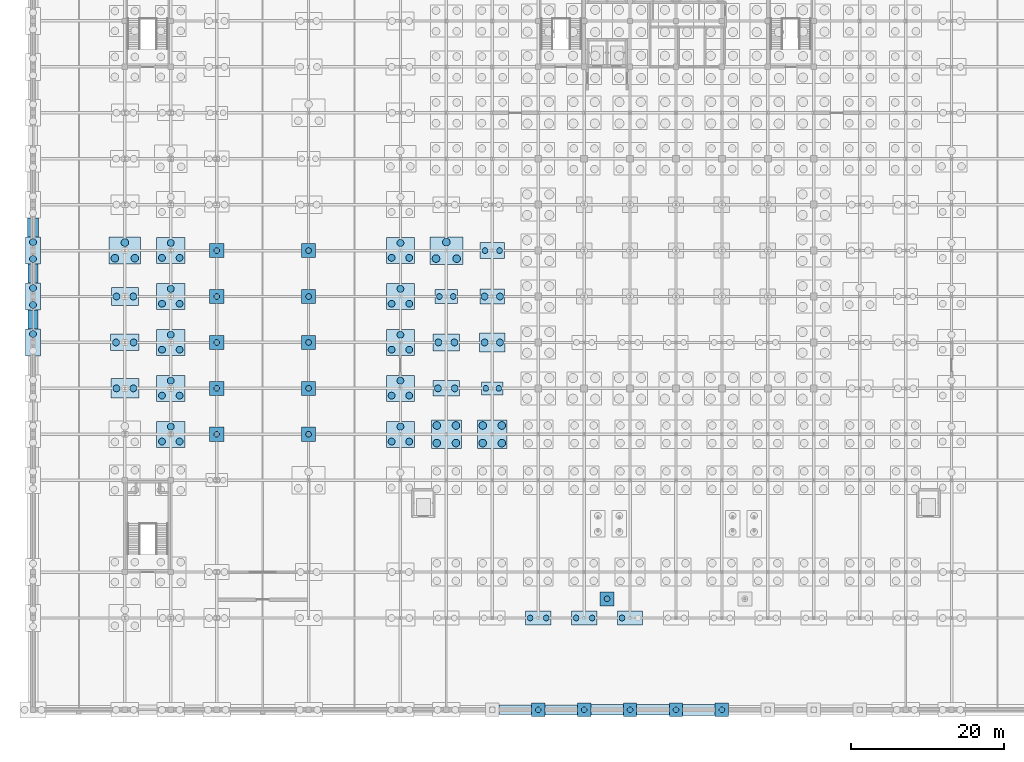
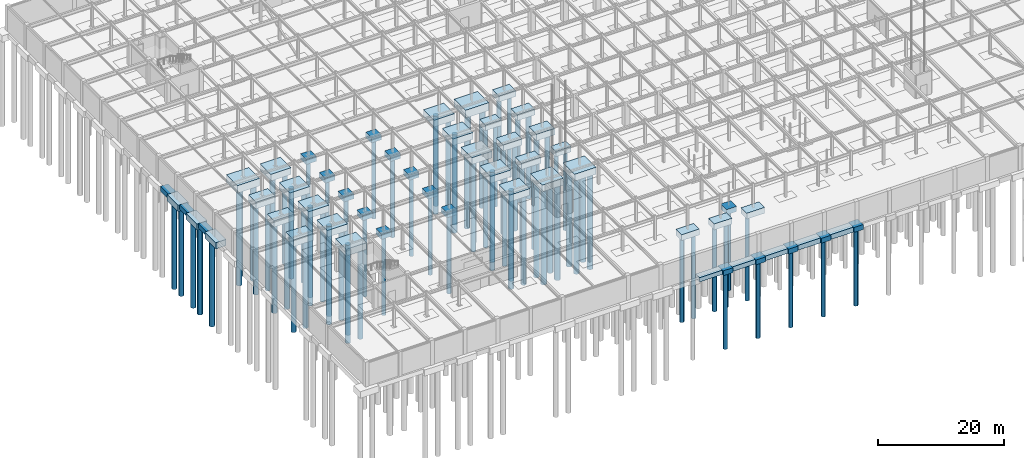
# One storey, part 2 of 69: 90 piles, 54 footings.
"""IFC4 building model written with IfcOpenShell, lengths in metres."""

from ifc_helpers import new_model, si_unit, direction, frame, origin, origin_2d, place, context, subcontext, project, spatial, rectangle, circle, extrude, material, material_profile, profile_set, type_object, element, save


model = new_model("IFC4")

# Units and contexts
model_context = context("Model", 3, precision=1e-05, world=origin(), true_north=direction((0.0, 1.0)))
body_context = subcontext(model_context, "Body", "Model", "MODEL_VIEW")
ifc_project = project(units=[si_unit("LENGTHUNIT", "METRE"), si_unit("AREAUNIT", "SQUARE_METRE"), si_unit("VOLUMEUNIT", "CUBIC_METRE"), si_unit("PLANEANGLEUNIT", "RADIAN"), si_unit("MASSUNIT", "GRAM", prefix="KILO")], contexts=[model_context])

# Site, building, storey
site_placement = place(None, origin())
site = spatial("IfcSite", under=ifc_project, at=site_placement, CompositionType="ELEMENT")
building_placement = place(site_placement, origin())
building = spatial("IfcBuilding", under=site, at=building_placement, Name="Zlatovratsky Civic Hall", CompositionType="ELEMENT")
storey_placement = place(building_placement, frame((0.0, 0.0, -4.800048828125)))
storey = spatial("IfcBuildingStorey", under=building, at=storey_placement, Name="B1", CompositionType="ELEMENT", Elevation=-4.800048828125)

# Footings
ifc_material = material(Name="Concrete C25/30 (B30)", Category="concrete")
footing_type_1 = type_object("IfcFootingType", Name="Footing_Cap1_CourtUnder_1850x1850x1000", PredefinedType="PILE_CAP", material=ifc_material)
for number, where, z_axis, x_axis, name in (
    (1, (24.0, 36.0, -1.0), (0.0, 0.0, 1.0), (1.0, 0.0, 0.0), "FD-096"),
    (2, (36.0, 36.0, -1.0), (0.0, 0.0, 1.0), (1.0, 0.0, 0.0), "FD-097"),
    (3, (24.0, 42.0, -1.0), (0.0, 0.0, 1.0), (1.0, 0.0, 0.0), "FD-119"),
    (4, (36.0, 42.0, -1.0), (0.0, 0.0, 1.0), (1.0, 0.0, 0.0), "FD-120"),
    (5, (24.0, 48.0, -1.0), (0.0, 0.0, 1.0), (1.0, 0.0, 0.0), "FD-142"),
    (6, (36.0, 48.0, -1.0), (0.0, 0.0, 1.0), (1.0, 0.0, 0.0), "FD-143"),
    (7, (24.0, 54.0, -1.0), (0.0, 0.0, 1.0), (1.0, 0.0, 0.0), "FD-165"),
    (8, (36.0, 54.0, -1.0), (0.0, 0.0, 1.0), (1.0, 0.0, 0.0), "FD-166"),
    (9, (24.0, 60.0, -1.0), (0.0, 0.0, 1.0), (1.0, 0.0, 0.0), "FD-188"),
    (10, (36.0, 60.0, -1.0), (0.0, 0.0, 1.0), (1.0, 0.0, 0.0), "FD-189"),
    (11, (75.0, 14.5, -1.0), (0.0, 0.0, 1.0), (1.0, 0.0, 0.0), "FD-499"),
):
    element("IfcFooting", number, at=place(storey_placement, frame(where, z_axis=z_axis, x_axis=x_axis)), inside=storey, type_object=footing_type_1, Name=name, PredefinedType="PILE_CAP", context=body_context, shape_type="SweptSolid", body=[
        extrude(rectangle(XDim=1.85009765625, YDim=1.85009765625, at=origin_2d()), origin(), (0.0, 0.0, 1.0), 1.0),
    ])
footing_type_2 = type_object("IfcFootingType", Name="Footing_Cap1_ForecourtUnder_1750x1750x950", PredefinedType="PILE_CAP", material=ifc_material)
for number, where, z_axis, x_axis, name in (
    (12, (66.0, 0.0, -0.94970703125), (0.0, 0.0, 1.0), (1.0, 0.0, 0.0), "FD-009"),
    (13, (72.0, 0.0, -0.94970703125), (0.0, 0.0, 1.0), (1.0, 0.0, 0.0), "FD-010"),
    (14, (78.0, 0.0, -0.94970703125), (0.0, 0.0, 1.0), (1.0, 0.0, 0.0), "FD-011"),
    (15, (84.0, 0.0, -0.94970703125), (0.0, 0.0, 1.0), (1.0, 0.0, 0.0), "FD-012"),
    (16, (90.0, 0.0, -0.94970703125), (0.0, 0.0, 1.0), (1.0, 0.0, 0.0), "FD-013"),
):
    element("IfcFooting", number, at=place(storey_placement, frame(where, z_axis=z_axis, x_axis=x_axis)), inside=storey, type_object=footing_type_2, Name=name, PredefinedType="PILE_CAP", context=body_context, shape_type="SweptSolid", body=[
        extrude(rectangle(XDim=1.75, YDim=1.75, at=origin_2d()), origin(), (0.0, 0.0, 1.0), 0.949951171875),
    ])
footing_type_3 = type_object("IfcFootingType", Name="Footing_Cap2_ArchiveN_3500x2000x1200", PredefinedType="PILE_CAP", material=ifc_material)
footing_1_placement = place(storey_placement, frame((54.0, 42.0, -1.19970703125), z_axis=(0.0, 0.0, 1.0), x_axis=(1.0, 0.0, 0.0)))
element("IfcFooting", 17, at=footing_1_placement, inside=storey, type_object=footing_type_3, Name="FD-122", PredefinedType="PILE_CAP", context=body_context, shape_type="SweptSolid", body=[
    extrude(rectangle(XDim=3.5, YDim=2.0, at=origin_2d()), origin(), (0.0, 0.0, 1.0), 1.199951171875),
])
footing_type_4 = type_object("IfcFootingType", Name="Footing_Cap2_ArchiveS_3250x1950x1150", PredefinedType="PILE_CAP", material=ifc_material)
footing_2_placement = place(storey_placement, frame((60.0, 54.0, -1.14990234375), z_axis=(0.0, 0.0, 1.0), x_axis=(1.0, 0.0, 0.0)))
element("IfcFooting", 18, at=footing_2_placement, inside=storey, type_object=footing_type_4, Name="FD-169", PredefinedType="PILE_CAP", context=body_context, shape_type="SweptSolid", body=[
    extrude(rectangle(XDim=3.25, YDim=1.949951171875, at=origin_2d()), origin(), (0.0, 0.0, 1.0), 1.14990234375),
])
footing_type_5 = type_object("IfcFootingType", Name="Footing_Cap2_Boulevard_3550x2350x1300", PredefinedType="PILE_CAP", material=ifc_material)
footing_3_placement = place(storey_placement, frame((12.0, 54.0, -1.2998046875), z_axis=(0.0, 0.0, 1.0), x_axis=(1.0, 0.0, 0.0)))
element("IfcFooting", 19, at=footing_3_placement, inside=storey, type_object=footing_type_5, Name="FD-163", PredefinedType="PILE_CAP", context=body_context, shape_type="SweptSolid", body=[
    extrude(rectangle(XDim=3.550048828125, YDim=2.35009765625, at=origin_2d()), origin(), (0.0, 0.0, 1.0), 1.300048828125),
])
footing_type_6 = type_object("IfcFootingType", Name="Footing_Cap2_CourtN_2950x1850x1100", PredefinedType="PILE_CAP", material=ifc_material)
footing_4_placement = place(storey_placement, frame((54.0, 54.0, -1.10009765625), z_axis=(0.0, 0.0, 1.0), x_axis=(1.0, 0.0, 0.0)))
element("IfcFooting", 20, at=footing_4_placement, inside=storey, type_object=footing_type_6, Name="FD-168", PredefinedType="PILE_CAP", context=body_context, shape_type="SweptSolid", body=[
    extrude(rectangle(XDim=2.949951171875, YDim=1.85009765625, at=origin_2d()), origin(), (0.0, 0.0, 1.0), 1.10009765625),
])
footing_type_7 = type_object("IfcFootingType", Name="Footing_Cap2_CourtS_2800x1700x1050", PredefinedType="PILE_CAP", material=ifc_material)
footing_5_placement = place(storey_placement, frame((60.0, 42.0, -1.0498046875), z_axis=(0.0, 0.0, 1.0), x_axis=(1.0, 0.0, 0.0)))
element("IfcFooting", 21, at=footing_5_placement, inside=storey, type_object=footing_type_7, Name="FD-123", PredefinedType="PILE_CAP", context=body_context, shape_type="SweptSolid", body=[
    extrude(rectangle(XDim=2.800048828125, YDim=1.699951171875, at=origin_2d()), origin(), (0.0, 0.0, 1.0), 1.050048828125),
])
footing_type_8 = type_object("IfcFootingType", Name="Footing_Cap2_Galleria_3150x2050x1150", PredefinedType="PILE_CAP", material=ifc_material)
footing_6_placement = place(storey_placement, frame((60.0, 60.0, -1.14990234375), z_axis=(0.0, 0.0, 1.0), x_axis=(1.0, 0.0, 0.0)))
element("IfcFooting", 22, at=footing_6_placement, inside=storey, type_object=footing_type_8, Name="FD-192", PredefinedType="PILE_CAP", context=body_context, shape_type="SweptSolid", body=[
    extrude(rectangle(XDim=3.14990234375, YDim=2.050048828125, at=origin_2d()), origin(), (0.0, 0.0, 1.0), 1.14990234375),
])
footing_type_9 = type_object("IfcFootingType", Name="Footing_Cap2_LibraryE_3650x2550x1300", PredefinedType="PILE_CAP", material=ifc_material)
footing_7_placement = place(storey_placement, frame((12.0, 42.0, -1.2998046875), z_axis=(0.0, 0.0, 1.0), x_axis=(1.0, 0.0, 0.0)))
element("IfcFooting", 23, at=footing_7_placement, inside=storey, type_object=footing_type_9, Name="FD-117", PredefinedType="PILE_CAP", context=body_context, shape_type="SweptSolid", body=[
    extrude(rectangle(XDim=3.64990234375, YDim=2.550048828125, at=origin_2d()), origin(), (0.0, 0.0, 1.0), 1.300048828125),
])
footing_type_10 = type_object("IfcFootingType", Name="Footing_Cap2_PlantB1_3350x2450x1250", PredefinedType="PILE_CAP", material=ifc_material)
footing_8_placement = place(storey_placement, frame((60.0, 48.0, -1.25), z_axis=(0.0, 0.0, 1.0), x_axis=(1.0, 0.0, 0.0)))
element("IfcFooting", 24, at=footing_8_placement, inside=storey, type_object=footing_type_10, Name="FD-146", PredefinedType="PILE_CAP", context=body_context, shape_type="SweptSolid", body=[
    extrude(rectangle(XDim=3.35009765625, YDim=2.449951171875, at=origin_2d()), origin(), (0.0, 0.0, 1.0), 1.25),
])
footing_type_11 = type_object("IfcFootingType", Name="Footing_Cap2_Portico_3300x1800x1150", PredefinedType="PILE_CAP", material=ifc_material)
for number, where, z_axis, x_axis, name in (
    (25, (66.0, 12.0, -1.14990234375), (0.0, 0.0, 1.0), (1.0, 0.0, 0.0), "FD-032"),
    (26, (72.0, 12.0, -1.14990234375), (0.0, 0.0, 1.0), (1.0, 0.0, 0.0), "FD-033"),
    (27, (78.0, 12.0, -1.14990234375), (0.0, 0.0, 1.0), (1.0, 0.0, 0.0), "FD-034"),
):
    element("IfcFooting", number, at=place(storey_placement, frame(where, z_axis=z_axis, x_axis=x_axis)), inside=storey, type_object=footing_type_11, Name=name, PredefinedType="PILE_CAP", context=body_context, shape_type="SweptSolid", body=[
        extrude(rectangle(XDim=3.300048828125, YDim=1.800048828125, at=origin_2d()), origin(), (0.0, 0.0, 1.0), 1.14990234375),
    ])
footing_type_12 = type_object("IfcFootingType", Name="Footing_Cap2_ReceptionW_3450x2250x1200", PredefinedType="PILE_CAP", material=ifc_material)
footing_9_placement = place(storey_placement, frame((54.0, 48.0, -1.19970703125), z_axis=(0.0, 0.0, 1.0), x_axis=(1.0, 0.0, 0.0)))
element("IfcFooting", 28, at=footing_9_placement, inside=storey, type_object=footing_type_12, Name="FD-145", PredefinedType="PILE_CAP", context=body_context, shape_type="SweptSolid", body=[
    extrude(rectangle(XDim=3.449951171875, YDim=2.25, at=origin_2d()), origin(), (0.0, 0.0, 1.0), 1.199951171875),
])
footing_type_13 = type_object("IfcFootingType", Name="Footing_Cap2_ServiceE_3750x2150x1250", PredefinedType="PILE_CAP", material=ifc_material)
footing_10_placement = place(storey_placement, frame((12.0, 48.0, -1.25), z_axis=(0.0, 0.0, 1.0), x_axis=(1.0, 0.0, 0.0)))
element("IfcFooting", 29, at=footing_10_placement, inside=storey, type_object=footing_type_13, Name="FD-140", PredefinedType="PILE_CAP", context=body_context, shape_type="SweptSolid", body=[
    extrude(rectangle(XDim=3.75, YDim=2.14990234375, at=origin_2d()), origin(), (0.0, 0.0, 1.0), 1.25),
])
footing_type_14 = type_object("IfcFootingType", Name="Footing_Cap2_WingEdgeY_1900x3500x1200", PredefinedType="PILE_CAP", material=ifc_material)
for number, where, z_axis, x_axis, name in (
    (30, (0.0, 48.0, -1.19970703125), (0.0, 0.0, 1.0), (1.0, 0.0, 0.0), "FD-139"),
    (31, (0.0, 54.0, -1.19970703125), (0.0, 0.0, 1.0), (1.0, 0.0, 0.0), "FD-162"),
    (32, (0.0, 60.0, -1.19970703125), (0.0, 0.0, 1.0), (1.0, 0.0, 0.0), "FD-185"),
):
    element("IfcFooting", number, at=place(storey_placement, frame(where, z_axis=z_axis, x_axis=x_axis)), inside=storey, type_object=footing_type_14, Name=name, PredefinedType="PILE_CAP", context=body_context, shape_type="SweptSolid", body=[
        extrude(rectangle(XDim=1.89990234375, YDim=3.5, at=origin_2d()), origin(), (0.0, 0.0, 1.0), 1.199951171875),
    ])
footing_type_15 = type_object("IfcFootingType", Name="Footing_Cap3_CourtEdge_3700x3400x1300", PredefinedType="PILE_CAP", material=ifc_material)
for number, where, z_axis, x_axis, name in (
    (33, (18.0, 36.0, -1.2998046875), (0.0, 0.0, 1.0), (1.0, 0.0, 0.0), "FD-095"),
    (34, (48.0, 36.0, -1.2998046875), (0.0, 0.0, 1.0), (1.0, 0.0, 0.0), "FD-098"),
    (35, (18.0, 42.0, -1.2998046875), (0.0, 0.0, 1.0), (1.0, 0.0, 0.0), "FD-118"),
    (36, (48.0, 42.0, -1.2998046875), (0.0, 0.0, 1.0), (1.0, 0.0, 0.0), "FD-121"),
    (37, (18.0, 48.0, -1.2998046875), (0.0, 0.0, 1.0), (1.0, 0.0, 0.0), "FD-141"),
    (38, (48.0, 48.0, -1.2998046875), (0.0, 0.0, 1.0), (1.0, 0.0, 0.0), "FD-144"),
    (39, (18.0, 54.0, -1.2998046875), (0.0, 0.0, 1.0), (1.0, 0.0, 0.0), "FD-164"),
    (40, (48.0, 54.0, -1.2998046875), (0.0, 0.0, 1.0), (1.0, 0.0, 0.0), "FD-167"),
    (41, (18.0, 60.0, -1.2998046875), (0.0, 0.0, 1.0), (1.0, 0.0, 0.0), "FD-187"),
    (42, (48.0, 60.0, -1.2998046875), (0.0, 0.0, 1.0), (1.0, 0.0, 0.0), "FD-190"),
):
    element("IfcFooting", number, at=place(storey_placement, frame(where, z_axis=z_axis, x_axis=x_axis)), inside=storey, type_object=footing_type_15, Name=name, PredefinedType="PILE_CAP", context=body_context, shape_type="SweptSolid", body=[
        extrude(rectangle(XDim=3.699951171875, YDim=3.39990234375, at=origin_2d()), origin(), (0.0, 0.0, 1.0), 1.300048828125),
    ])
footing_type_16 = type_object("IfcFootingType", Name="Footing_Cap3_TowerFlank_4100x3500x1450", PredefinedType="PILE_CAP", material=ifc_material)
footing_11_placement = place(storey_placement, frame((12.0, 60.0, -1.44970703125), z_axis=(0.0, 0.0, 1.0), x_axis=(1.0, 0.0, 0.0)))
element("IfcFooting", 43, at=footing_11_placement, inside=storey, type_object=footing_type_16, Name="FD-186", PredefinedType="PILE_CAP", context=body_context, shape_type="SweptSolid", body=[
    extrude(rectangle(XDim=4.10009765625, YDim=3.5, at=origin_2d()), origin(), (0.0, 0.0, 1.0), 1.449951171875),
])
footing_type_17 = type_object("IfcFootingType", Name="Footing_Cap3_TowerNorth_4300x3600x1500", PredefinedType="PILE_CAP", material=ifc_material)
footing_12_placement = place(storey_placement, frame((54.0, 60.0, -1.5), z_axis=(0.0, 0.0, 1.0), x_axis=(1.0, 0.0, 0.0)))
element("IfcFooting", 44, at=footing_12_placement, inside=storey, type_object=footing_type_17, Name="FD-191", PredefinedType="PILE_CAP", context=body_context, shape_type="SweptSolid", body=[
    extrude(rectangle(XDim=4.300048828125, YDim=3.60009765625, at=origin_2d()), origin(), (0.0, 0.0, 1.0), 1.5),
])
footing_type_18 = type_object("IfcFootingType", Name="Footing_Cap4_HallSpine_3900x3700x1350", PredefinedType="PILE_CAP", material=ifc_material)
for number, where, z_axis, x_axis, name in (
    (45, (54.0, 36.0, -1.35009765625), (0.0, 0.0, 1.0), (1.0, 0.0, 0.0), "FD-099"),
    (46, (60.0, 36.0, -1.35009765625), (0.0, 0.0, 1.0), (1.0, 0.0, 0.0), "FD-100"),
):
    element("IfcFooting", number, at=place(storey_placement, frame(where, z_axis=z_axis, x_axis=x_axis)), inside=storey, type_object=footing_type_18, Name=name, PredefinedType="PILE_CAP", context=body_context, shape_type="SweptSolid", body=[
        extrude(rectangle(XDim=3.89990234375, YDim=3.699951171875, at=origin_2d()), origin(), (0.0, 0.0, 1.0), 1.35009765625),
    ])
footing_type_19 = type_object("IfcFootingType", Name="Footing_Strip_B1_02", PredefinedType="STRIP_FOOTING", material=ifc_material)
footing_13_placement = place(storey_placement, frame((63.0, 0.0, -0.85009765625), z_axis=(0.0, 0.0, 1.0), x_axis=(1.0, 0.0, 0.0)))
element("IfcFooting", 47, at=footing_13_placement, inside=storey, type_object=footing_type_19, Name="FD-422", PredefinedType="STRIP_FOOTING", context=body_context, shape_type="SweptSolid", body=[
    extrude(rectangle(XDim=4.25, YDim=1.25, at=origin_2d()), origin(), (0.0, 0.0, 1.0), 0.85009765625),
])
footing_type_20 = type_object("IfcFootingType", Name="Footing_Strip_B1_03", PredefinedType="STRIP_FOOTING", material=ifc_material)
footing_14_placement = place(storey_placement, frame((69.0, 0.0, -0.89990234375), z_axis=(0.0, 0.0, 1.0), x_axis=(1.0, 0.0, 0.0)))
element("IfcFooting", 48, at=footing_14_placement, inside=storey, type_object=footing_type_20, Name="FD-423", PredefinedType="STRIP_FOOTING", context=body_context, shape_type="SweptSolid", body=[
    extrude(rectangle(XDim=4.25, YDim=1.300048828125, at=origin_2d()), origin(), (0.0, 0.0, 1.0), 0.89990234375),
])
footing_15_placement = place(storey_placement, frame((0.0, 51.0, -0.89990234375), z_axis=(0.0, 0.0, 1.0), x_axis=(1.0, 0.0, 0.0)))
element("IfcFooting", 49, at=footing_15_placement, inside=storey, type_object=footing_type_20, Name="FD-465", PredefinedType="STRIP_FOOTING", context=body_context, shape_type="SweptSolid", body=[
    extrude(rectangle(XDim=1.300048828125, YDim=2.5, at=origin_2d()), origin(), (0.0, 0.0, 1.0), 0.89990234375),
])
footing_type_21 = type_object("IfcFootingType", Name="Footing_Strip_B1_04", PredefinedType="STRIP_FOOTING", material=ifc_material)
footing_16_placement = place(storey_placement, frame((75.0, 0.0, -0.89990234375), z_axis=(0.0, 0.0, 1.0), x_axis=(1.0, 0.0, 0.0)))
element("IfcFooting", 50, at=footing_16_placement, inside=storey, type_object=footing_type_21, Name="FD-424", PredefinedType="STRIP_FOOTING", context=body_context, shape_type="SweptSolid", body=[
    extrude(rectangle(XDim=4.25, YDim=1.35009765625, at=origin_2d()), origin(), (0.0, 0.0, 1.0), 0.89990234375),
])
footing_17_placement = place(storey_placement, frame((0.0, 57.0, -0.89990234375), z_axis=(0.0, 0.0, 1.0), x_axis=(1.0, 0.0, 0.0)))
element("IfcFooting", 51, at=footing_17_placement, inside=storey, type_object=footing_type_21, Name="FD-466", PredefinedType="STRIP_FOOTING", context=body_context, shape_type="SweptSolid", body=[
    extrude(rectangle(XDim=1.35009765625, YDim=2.5, at=origin_2d()), origin(), (0.0, 0.0, 1.0), 0.89990234375),
])
footing_type_22 = type_object("IfcFootingType", Name="Footing_Strip_B1_05", PredefinedType="STRIP_FOOTING", material=ifc_material)
footing_18_placement = place(storey_placement, frame((81.0, 0.0, -0.94970703125), z_axis=(0.0, 0.0, 1.0), x_axis=(1.0, 0.0, 0.0)))
element("IfcFooting", 52, at=footing_18_placement, inside=storey, type_object=footing_type_22, Name="FD-425", PredefinedType="STRIP_FOOTING", context=body_context, shape_type="SweptSolid", body=[
    extrude(rectangle(XDim=4.25, YDim=1.39990234375, at=origin_2d()), origin(), (0.0, 0.0, 1.0), 0.949951171875),
])
footing_19_placement = place(storey_placement, frame((0.0, 63.0, -0.94970703125), z_axis=(0.0, 0.0, 1.0), x_axis=(1.0, 0.0, 0.0)))
element("IfcFooting", 53, at=footing_19_placement, inside=storey, type_object=footing_type_22, Name="FD-467", PredefinedType="STRIP_FOOTING", context=body_context, shape_type="SweptSolid", body=[
    extrude(rectangle(XDim=1.39990234375, YDim=2.5, at=origin_2d()), origin(), (0.0, 0.0, 1.0), 0.949951171875),
])
footing_type_23 = type_object("IfcFootingType", Name="Footing_Strip_B1_06", PredefinedType="STRIP_FOOTING", material=ifc_material)
footing_20_placement = place(storey_placement, frame((87.0, 0.0, -0.94970703125), z_axis=(0.0, 0.0, 1.0), x_axis=(1.0, 0.0, 0.0)))
element("IfcFooting", 54, at=footing_20_placement, inside=storey, type_object=footing_type_23, Name="FD-426", PredefinedType="STRIP_FOOTING", context=body_context, shape_type="SweptSolid", body=[
    extrude(rectangle(XDim=4.25, YDim=1.449951171875, at=origin_2d()), origin(), (0.0, 0.0, 1.0), 0.949951171875),
])

# Piles
ifc_material_profile_1 = material_profile(ifc_material, circle(Radius=0.5, at=origin_2d()), Name="PILE D1000")
ifc_profile_set_1 = profile_set([ifc_material_profile_1], Name="Concrete C25/30 (B30)")
pile_type_1 = type_object("IfcPileType", Name="Pile_Bored_D1000", PredefinedType="BORED", material=ifc_profile_set_1)
for number, where, z_axis, x_axis, name in (
    (55, (52.75, 34.85009765625, -1.25), (0.0, 0.0, -1.0), (1.0, 0.0, 0.0), "PL-0255"),
    (56, (55.25, 34.85009765625, -1.25), (0.0, 0.0, -1.0), (1.0, 0.0, 0.0), "PL-0256"),
    (57, (52.75, 37.14990234375, -1.25), (0.0, 0.0, -1.0), (1.0, 0.0, 0.0), "PL-0257"),
    (58, (55.25, 37.14990234375, -1.25), (0.0, 0.0, -1.0), (1.0, 0.0, 0.0), "PL-0258"),
    (59, (58.75, 34.85009765625, -1.25), (0.0, 0.0, -1.0), (1.0, 0.0, 0.0), "PL-0259"),
    (60, (61.25, 34.85009765625, -1.25), (0.0, 0.0, -1.0), (1.0, 0.0, 0.0), "PL-0260"),
    (61, (58.75, 37.14990234375, -1.25), (0.0, 0.0, -1.0), (1.0, 0.0, 0.0), "PL-0261"),
    (62, (61.25, 37.14990234375, -1.25), (0.0, 0.0, -1.0), (1.0, 0.0, 0.0), "PL-0262"),
    (63, (10.699951171875, 59.0, -1.349853515625), (0.0, 0.0, -1.0), (1.0, 0.0, 0.0), "PL-0470"),
    (64, (13.300048828125, 59.0, -1.349853515625), (0.0, 0.0, -1.0), (1.0, 0.0, 0.0), "PL-0471"),
    (65, (12.0, 61.050048828125, -1.349853515625), (0.0, 0.0, -1.0), (1.0, 0.0, 0.0), "PL-0472"),
):
    element("IfcPile", number, at=place(storey_placement, frame(where, z_axis=z_axis, x_axis=x_axis)), inside=storey, type_object=pile_type_1, Name=name, PredefinedType="BORED", context=body_context, shape_type="SweptSolid", body=[
        extrude(circle(Radius=0.5, at=origin_2d()), origin(), (0.0, 0.0, 1.0), 18.5),
    ])
for number, where, z_axis, x_axis, name in (
    (66, (52.64990234375, 58.949951171875, -1.39990234375), (0.0, 0.0, -1.0), (1.0, 0.0, 0.0), "PL-0481"),
    (67, (55.35009765625, 58.949951171875, -1.39990234375), (0.0, 0.0, -1.0), (1.0, 0.0, 0.0), "PL-0482"),
    (68, (54.0, 61.10009765625, -1.39990234375), (0.0, 0.0, -1.0), (1.0, 0.0, 0.0), "PL-0483"),
):
    element("IfcPile", number, at=place(storey_placement, frame(where, z_axis=z_axis, x_axis=x_axis)), inside=storey, type_object=pile_type_1, Name=name, PredefinedType="BORED", context=body_context, shape_type="SweptSolid", body=[
        extrude(circle(Radius=0.5, at=origin_2d()), origin(), (0.0, 0.0, 1.0), 19.0),
    ])
ifc_material_profile_2 = material_profile(ifc_material, circle(Radius=0.375, at=origin_2d()), Name="PILE D750")
ifc_profile_set_2 = profile_set([ifc_material_profile_2], Name="Concrete C25/30 (B30)")
pile_type_2 = type_object("IfcPileType", Name="Pile_Bored_D750", PredefinedType="BORED", material=ifc_profile_set_2)
for number, where, z_axis, x_axis, name in (
    (69, (66.0, 0.0, -0.849853515625), (0.0, 0.0, -1.0), (1.0, 0.0, 0.0), "PL-0016"),
    (70, (72.0, 0.0, -0.849853515625), (0.0, 0.0, -1.0), (1.0, 0.0, 0.0), "PL-0017"),
    (71, (78.0, 0.0, -0.849853515625), (0.0, 0.0, -1.0), (1.0, 0.0, 0.0), "PL-0018"),
    (72, (84.0, 0.0, -0.849853515625), (0.0, 0.0, -1.0), (1.0, 0.0, 0.0), "PL-0019"),
    (73, (90.0, 0.0, -0.849853515625), (0.0, 0.0, -1.0), (1.0, 0.0, 0.0), "PL-0020"),
):
    element("IfcPile", number, at=place(storey_placement, frame(where, z_axis=z_axis, x_axis=x_axis)), inside=storey, type_object=pile_type_2, Name=name, PredefinedType="BORED", context=body_context, shape_type="SweptSolid", body=[
        extrude(circle(Radius=0.375, at=origin_2d()), origin(), (0.0, 0.0, 1.0), 15.0),
    ])
for number, where, z_axis, x_axis, name in (
    (74, (64.949951171875, 12.0, -1.050048828125), (0.0, 0.0, -1.0), (1.0, 0.0, 0.0), "PL-0055"),
    (75, (67.050048828125, 12.0, -1.050048828125), (0.0, 0.0, -1.0), (1.0, 0.0, 0.0), "PL-0056"),
    (76, (70.949951171875, 12.0, -1.050048828125), (0.0, 0.0, -1.0), (1.0, 0.0, 0.0), "PL-0057"),
    (77, (73.050048828125, 12.0, -1.050048828125), (0.0, 0.0, -1.0), (1.0, 0.0, 0.0), "PL-0058"),
    (78, (76.949951171875, 12.0, -1.050048828125), (0.0, 0.0, -1.0), (1.0, 0.0, 0.0), "PL-0059"),
):
    element("IfcPile", number, at=place(storey_placement, frame(where, z_axis=z_axis, x_axis=x_axis)), inside=storey, type_object=pile_type_2, Name=name, PredefinedType="BORED", context=body_context, shape_type="SweptSolid", body=[
        extrude(circle(Radius=0.375, at=origin_2d()), origin(), (0.0, 0.0, 1.0), 16.5),
    ])
for number, where, z_axis, x_axis, name in (
    (79, (24.0, 36.0, -0.89990234375), (0.0, 0.0, -1.0), (1.0, 0.0, 0.0), "PL-0250"),
    (80, (36.0, 36.0, -0.89990234375), (0.0, 0.0, -1.0), (1.0, 0.0, 0.0), "PL-0251"),
    (81, (24.0, 42.0, -0.89990234375), (0.0, 0.0, -1.0), (1.0, 0.0, 0.0), "PL-0319"),
    (82, (36.0, 42.0, -0.89990234375), (0.0, 0.0, -1.0), (1.0, 0.0, 0.0), "PL-0320"),
    (83, (59.14990234375, 42.0, -0.949951171875), (0.0, 0.0, -1.0), (1.0, 0.0, 0.0), "PL-0326"),
    (84, (60.85009765625, 42.0, -0.949951171875), (0.0, 0.0, -1.0), (1.0, 0.0, 0.0), "PL-0327"),
    (85, (24.0, 48.0, -0.89990234375), (0.0, 0.0, -1.0), (1.0, 0.0, 0.0), "PL-0379"),
    (86, (36.0, 48.0, -0.89990234375), (0.0, 0.0, -1.0), (1.0, 0.0, 0.0), "PL-0380"),
    (87, (24.0, 54.0, -0.89990234375), (0.0, 0.0, -1.0), (1.0, 0.0, 0.0), "PL-0429"),
    (88, (36.0, 54.0, -0.89990234375), (0.0, 0.0, -1.0), (1.0, 0.0, 0.0), "PL-0430"),
):
    element("IfcPile", number, at=place(storey_placement, frame(where, z_axis=z_axis, x_axis=x_axis)), inside=storey, type_object=pile_type_2, Name=name, PredefinedType="BORED", context=body_context, shape_type="SweptSolid", body=[
        extrude(circle(Radius=0.375, at=origin_2d()), origin(), (0.0, 0.0, 1.0), 15.5),
    ])
for number, where, z_axis, x_axis, name in (
    (89, (53.10009765625, 54.0, -1.0), (0.0, 0.0, -1.0), (1.0, 0.0, 0.0), "PL-0434"),
    (90, (54.89990234375, 54.0, -1.0), (0.0, 0.0, -1.0), (1.0, 0.0, 0.0), "PL-0435"),
):
    element("IfcPile", number, at=place(storey_placement, frame(where, z_axis=z_axis, x_axis=x_axis)), inside=storey, type_object=pile_type_2, Name=name, PredefinedType="BORED", context=body_context, shape_type="SweptSolid", body=[
        extrude(circle(Radius=0.375, at=origin_2d()), origin(), (0.0, 0.0, 1.0), 16.0),
    ])
for number, where, z_axis, x_axis, name in (
    (91, (24.0, 60.0, -0.89990234375), (0.0, 0.0, -1.0), (1.0, 0.0, 0.0), "PL-0476"),
    (92, (36.0, 60.0, -0.89990234375), (0.0, 0.0, -1.0), (1.0, 0.0, 0.0), "PL-0477"),
):
    element("IfcPile", number, at=place(storey_placement, frame(where, z_axis=z_axis, x_axis=x_axis)), inside=storey, type_object=pile_type_2, Name=name, PredefinedType="BORED", context=body_context, shape_type="SweptSolid", body=[
        extrude(circle(Radius=0.375, at=origin_2d()), origin(), (0.0, 0.0, 1.0), 15.5),
    ])
for number, where, z_axis, x_axis, name in (
    (93, (59.050048828125, 60.0, -1.050048828125), (0.0, 0.0, -1.0), (1.0, 0.0, 0.0), "PL-0484"),
    (94, (60.949951171875, 60.0, -1.050048828125), (0.0, 0.0, -1.0), (1.0, 0.0, 0.0), "PL-0485"),
):
    element("IfcPile", number, at=place(storey_placement, frame(where, z_axis=z_axis, x_axis=x_axis)), inside=storey, type_object=pile_type_2, Name=name, PredefinedType="BORED", context=body_context, shape_type="SweptSolid", body=[
        extrude(circle(Radius=0.375, at=origin_2d()), origin(), (0.0, 0.0, 1.0), 16.0),
    ])
pile_placement = place(storey_placement, frame((75.0, 14.5, -0.89990234375), z_axis=(0.0, 0.0, -1.0), x_axis=(1.0, 0.0, 0.0)))
element("IfcPile", 95, at=pile_placement, inside=storey, type_object=pile_type_2, Name="PL-1132", PredefinedType="BORED", context=body_context, shape_type="SweptSolid", body=[
    extrude(circle(Radius=0.375, at=origin_2d()), origin(), (0.0, 0.0, 1.0), 15.5),
])
ifc_material_profile_3 = material_profile(ifc_material, circle(Radius=0.449951171875, at=origin_2d()), Name="PILE D900")
ifc_profile_set_3 = profile_set([ifc_material_profile_3], Name="Concrete C25/30 (B30)")
pile_type_3 = type_object("IfcPileType", Name="Pile_Bored_D900", PredefinedType="BORED", material=ifc_profile_set_3)
for number, where, z_axis, x_axis, name in (
    (96, (16.85009765625, 35.050048828125, -1.199951171875), (0.0, 0.0, -1.0), (1.0, 0.0, 0.0), "PL-0247"),
    (97, (19.14990234375, 35.050048828125, -1.199951171875), (0.0, 0.0, -1.0), (1.0, 0.0, 0.0), "PL-0248"),
    (98, (18.0, 37.0, -1.199951171875), (0.0, 0.0, -1.0), (1.0, 0.0, 0.0), "PL-0249"),
    (99, (46.85009765625, 35.050048828125, -1.199951171875), (0.0, 0.0, -1.0), (1.0, 0.0, 0.0), "PL-0252"),
    (100, (49.14990234375, 35.050048828125, -1.199951171875), (0.0, 0.0, -1.0), (1.0, 0.0, 0.0), "PL-0253"),
    (101, (48.0, 37.0, -1.199951171875), (0.0, 0.0, -1.0), (1.0, 0.0, 0.0), "PL-0254"),
    (102, (10.89990234375, 42.0, -1.199951171875), (0.0, 0.0, -1.0), (1.0, 0.0, 0.0), "PL-0314"),
    (103, (13.10009765625, 42.0, -1.199951171875), (0.0, 0.0, -1.0), (1.0, 0.0, 0.0), "PL-0315"),
    (104, (16.85009765625, 41.050048828125, -1.199951171875), (0.0, 0.0, -1.0), (1.0, 0.0, 0.0), "PL-0316"),
    (105, (19.14990234375, 41.050048828125, -1.199951171875), (0.0, 0.0, -1.0), (1.0, 0.0, 0.0), "PL-0317"),
    (106, (18.0, 43.0, -1.199951171875), (0.0, 0.0, -1.0), (1.0, 0.0, 0.0), "PL-0318"),
    (107, (46.85009765625, 41.050048828125, -1.199951171875), (0.0, 0.0, -1.0), (1.0, 0.0, 0.0), "PL-0321"),
    (108, (49.14990234375, 41.050048828125, -1.199951171875), (0.0, 0.0, -1.0), (1.0, 0.0, 0.0), "PL-0322"),
    (109, (48.0, 43.0, -1.199951171875), (0.0, 0.0, -1.0), (1.0, 0.0, 0.0), "PL-0323"),
):
    element("IfcPile", number, at=place(storey_placement, frame(where, z_axis=z_axis, x_axis=x_axis)), inside=storey, type_object=pile_type_3, Name=name, PredefinedType="BORED", context=body_context, shape_type="SweptSolid", body=[
        extrude(circle(Radius=0.449951171875, at=origin_2d()), origin(), (0.0, 0.0, 1.0), 17.5),
    ])
for number, where, z_axis, x_axis, name in (
    (110, (52.89990234375, 42.0, -1.099853515625), (0.0, 0.0, -1.0), (1.0, 0.0, 0.0), "PL-0324"),
    (111, (55.10009765625, 42.0, -1.099853515625), (0.0, 0.0, -1.0), (1.0, 0.0, 0.0), "PL-0325"),
    (112, (0.0, 49.10009765625, -1.099853515625), (0.0, 0.0, -1.0), (1.0, 0.0, 0.0), "PL-0373"),
):
    element("IfcPile", number, at=place(storey_placement, frame(where, z_axis=z_axis, x_axis=x_axis)), inside=storey, type_object=pile_type_3, Name=name, PredefinedType="BORED", context=body_context, shape_type="SweptSolid", body=[
        extrude(circle(Radius=0.449951171875, at=origin_2d()), origin(), (0.0, 0.0, 1.0), 17.0),
    ])
for number, where, z_axis, x_axis, name in (
    (113, (10.85009765625, 48.0, -1.14990234375), (0.0, 0.0, -1.0), (1.0, 0.0, 0.0), "PL-0374"),
    (114, (13.14990234375, 48.0, -1.14990234375), (0.0, 0.0, -1.0), (1.0, 0.0, 0.0), "PL-0375"),
    (115, (16.85009765625, 47.050048828125, -1.199951171875), (0.0, 0.0, -1.0), (1.0, 0.0, 0.0), "PL-0376"),
    (116, (19.14990234375, 47.050048828125, -1.199951171875), (0.0, 0.0, -1.0), (1.0, 0.0, 0.0), "PL-0377"),
    (117, (18.0, 49.0, -1.199951171875), (0.0, 0.0, -1.0), (1.0, 0.0, 0.0), "PL-0378"),
    (118, (46.85009765625, 47.050048828125, -1.199951171875), (0.0, 0.0, -1.0), (1.0, 0.0, 0.0), "PL-0381"),
    (119, (49.14990234375, 47.050048828125, -1.199951171875), (0.0, 0.0, -1.0), (1.0, 0.0, 0.0), "PL-0382"),
    (120, (48.0, 49.0, -1.199951171875), (0.0, 0.0, -1.0), (1.0, 0.0, 0.0), "PL-0383"),
):
    element("IfcPile", number, at=place(storey_placement, frame(where, z_axis=z_axis, x_axis=x_axis)), inside=storey, type_object=pile_type_3, Name=name, PredefinedType="BORED", context=body_context, shape_type="SweptSolid", body=[
        extrude(circle(Radius=0.449951171875, at=origin_2d()), origin(), (0.0, 0.0, 1.0), 17.5),
    ])
for number, where, z_axis, x_axis, name in (
    (121, (52.949951171875, 48.0, -1.099853515625), (0.0, 0.0, -1.0), (1.0, 0.0, 0.0), "PL-0384"),
    (122, (55.050048828125, 48.0, -1.099853515625), (0.0, 0.0, -1.0), (1.0, 0.0, 0.0), "PL-0385"),
    (123, (59.0, 48.0, -1.14990234375), (0.0, 0.0, -1.0), (1.0, 0.0, 0.0), "PL-0386"),
    (124, (61.0, 48.0, -1.14990234375), (0.0, 0.0, -1.0), (1.0, 0.0, 0.0), "PL-0387"),
    (125, (0.0, 52.89990234375, -1.099853515625), (0.0, 0.0, -1.0), (1.0, 0.0, 0.0), "PL-0422"),
    (126, (0.0, 55.10009765625, -1.099853515625), (0.0, 0.0, -1.0), (1.0, 0.0, 0.0), "PL-0423"),
):
    element("IfcPile", number, at=place(storey_placement, frame(where, z_axis=z_axis, x_axis=x_axis)), inside=storey, type_object=pile_type_3, Name=name, PredefinedType="BORED", context=body_context, shape_type="SweptSolid", body=[
        extrude(circle(Radius=0.449951171875, at=origin_2d()), origin(), (0.0, 0.0, 1.0), 17.0),
    ])
for number, where, z_axis, x_axis, name in (
    (127, (10.89990234375, 54.0, -1.199951171875), (0.0, 0.0, -1.0), (1.0, 0.0, 0.0), "PL-0424"),
    (128, (13.10009765625, 54.0, -1.199951171875), (0.0, 0.0, -1.0), (1.0, 0.0, 0.0), "PL-0425"),
    (129, (16.85009765625, 53.050048828125, -1.199951171875), (0.0, 0.0, -1.0), (1.0, 0.0, 0.0), "PL-0426"),
    (130, (19.14990234375, 53.050048828125, -1.199951171875), (0.0, 0.0, -1.0), (1.0, 0.0, 0.0), "PL-0427"),
    (131, (18.0, 55.0, -1.199951171875), (0.0, 0.0, -1.0), (1.0, 0.0, 0.0), "PL-0428"),
    (132, (46.85009765625, 53.050048828125, -1.199951171875), (0.0, 0.0, -1.0), (1.0, 0.0, 0.0), "PL-0431"),
    (133, (49.14990234375, 53.050048828125, -1.199951171875), (0.0, 0.0, -1.0), (1.0, 0.0, 0.0), "PL-0432"),
    (134, (48.0, 55.0, -1.199951171875), (0.0, 0.0, -1.0), (1.0, 0.0, 0.0), "PL-0433"),
):
    element("IfcPile", number, at=place(storey_placement, frame(where, z_axis=z_axis, x_axis=x_axis)), inside=storey, type_object=pile_type_3, Name=name, PredefinedType="BORED", context=body_context, shape_type="SweptSolid", body=[
        extrude(circle(Radius=0.449951171875, at=origin_2d()), origin(), (0.0, 0.0, 1.0), 17.5),
    ])
for number, where, z_axis, x_axis, name in (
    (135, (59.0, 54.0, -1.050048828125), (0.0, 0.0, -1.0), (1.0, 0.0, 0.0), "PL-0436"),
    (136, (61.0, 54.0, -1.050048828125), (0.0, 0.0, -1.0), (1.0, 0.0, 0.0), "PL-0437"),
):
    element("IfcPile", number, at=place(storey_placement, frame(where, z_axis=z_axis, x_axis=x_axis)), inside=storey, type_object=pile_type_3, Name=name, PredefinedType="BORED", context=body_context, shape_type="SweptSolid", body=[
        extrude(circle(Radius=0.449951171875, at=origin_2d()), origin(), (0.0, 0.0, 1.0), 16.5),
    ])
for number, where, z_axis, x_axis, name in (
    (137, (0.0, 58.89990234375, -1.099853515625), (0.0, 0.0, -1.0), (1.0, 0.0, 0.0), "PL-0468"),
    (138, (0.0, 61.10009765625, -1.099853515625), (0.0, 0.0, -1.0), (1.0, 0.0, 0.0), "PL-0469"),
):
    element("IfcPile", number, at=place(storey_placement, frame(where, z_axis=z_axis, x_axis=x_axis)), inside=storey, type_object=pile_type_3, Name=name, PredefinedType="BORED", context=body_context, shape_type="SweptSolid", body=[
        extrude(circle(Radius=0.449951171875, at=origin_2d()), origin(), (0.0, 0.0, 1.0), 17.0),
    ])
for number, where, z_axis, x_axis, name in (
    (139, (16.85009765625, 59.050048828125, -1.199951171875), (0.0, 0.0, -1.0), (1.0, 0.0, 0.0), "PL-0473"),
    (140, (19.14990234375, 59.050048828125, -1.199951171875), (0.0, 0.0, -1.0), (1.0, 0.0, 0.0), "PL-0474"),
    (141, (18.0, 61.0, -1.199951171875), (0.0, 0.0, -1.0), (1.0, 0.0, 0.0), "PL-0475"),
    (142, (46.85009765625, 59.050048828125, -1.199951171875), (0.0, 0.0, -1.0), (1.0, 0.0, 0.0), "PL-0478"),
    (143, (49.14990234375, 59.050048828125, -1.199951171875), (0.0, 0.0, -1.0), (1.0, 0.0, 0.0), "PL-0479"),
    (144, (48.0, 61.0, -1.199951171875), (0.0, 0.0, -1.0), (1.0, 0.0, 0.0), "PL-0480"),
):
    element("IfcPile", number, at=place(storey_placement, frame(where, z_axis=z_axis, x_axis=x_axis)), inside=storey, type_object=pile_type_3, Name=name, PredefinedType="BORED", context=body_context, shape_type="SweptSolid", body=[
        extrude(circle(Radius=0.449951171875, at=origin_2d()), origin(), (0.0, 0.0, 1.0), 17.5),
    ])

save(model, "model.ifc")
